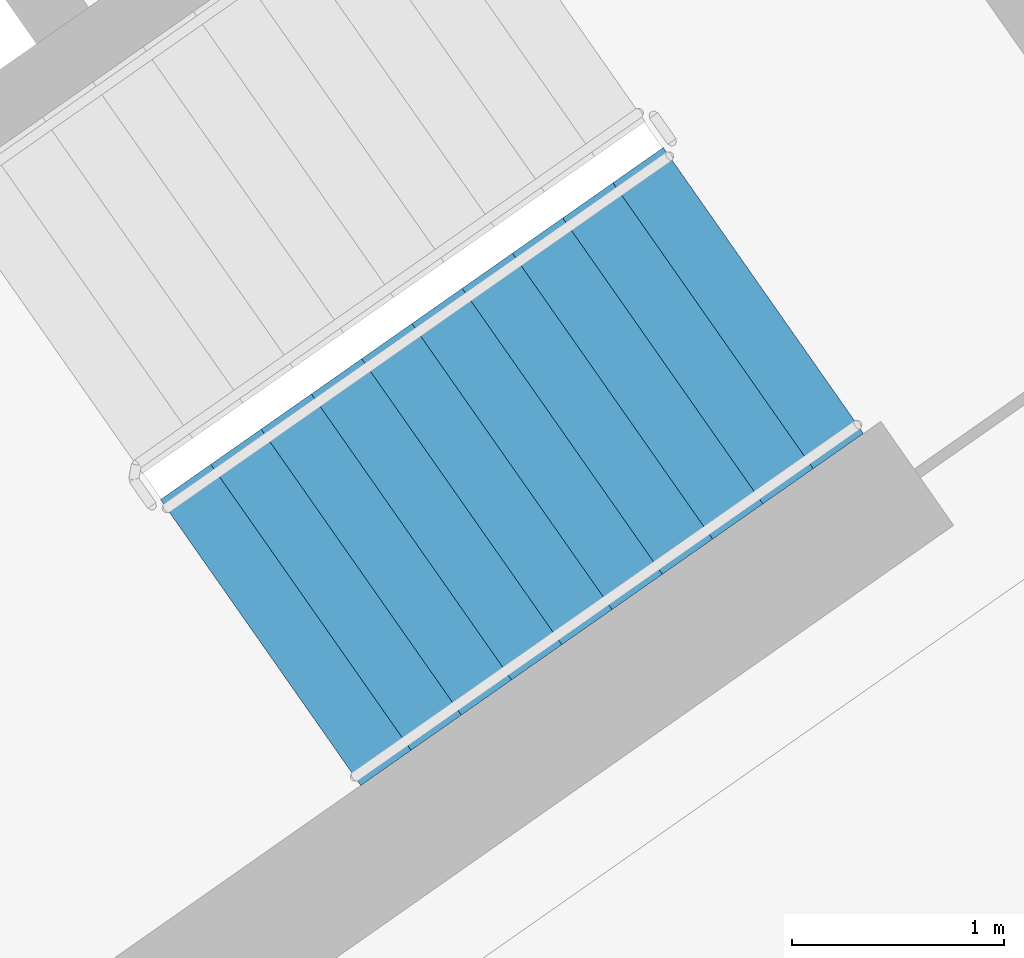
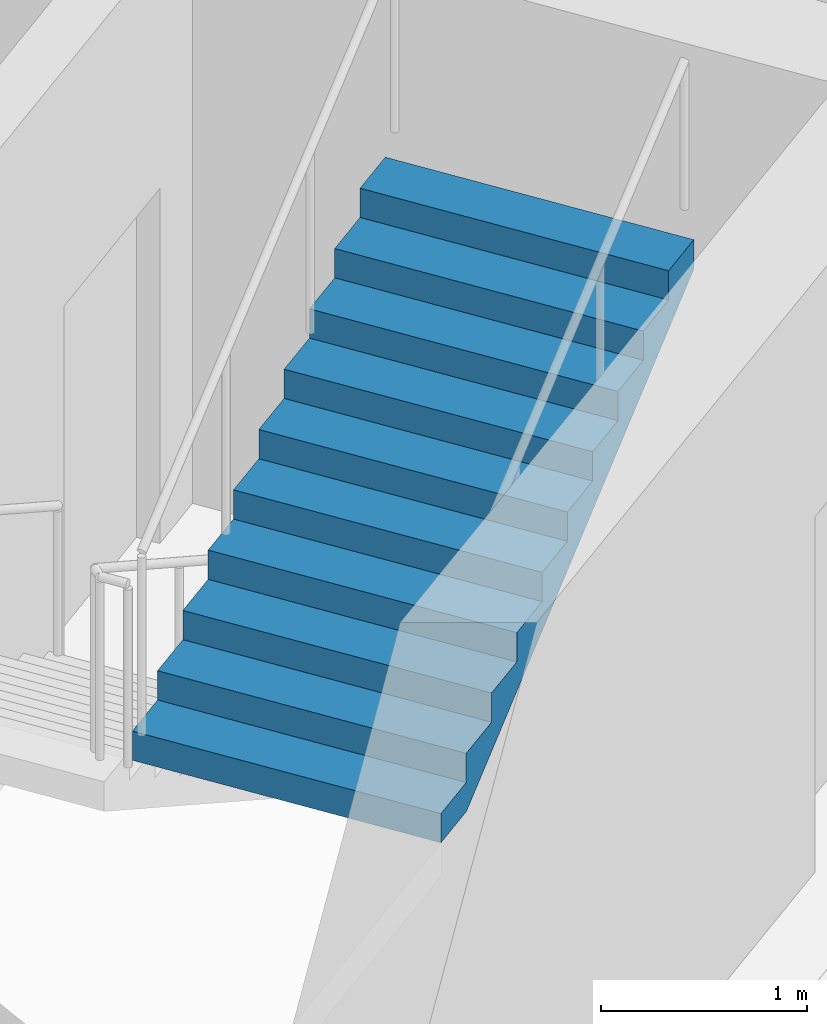
# One storey, part 13 of 27: 1 stair flight, 1 element without a shape of its own.
"""IFC4 building model written with IfcOpenShell, lengths in metres."""

import ifcopenshell
import ifcopenshell.guid

model = None  # the IFC model being written
_history = None  # IfcOwnerHistory: only IFC2X3 demands one
_inside = {}  # id of a spatial element -> (the spatial element, [elements in it])
_under = {}  # id of a project, library or spatial element -> (it, [spatial elements below it])
_declared = {}  # id of a project -> (the project, [libraries it declares])
_typed = {}  # id of a type object -> (the type object, [elements of that type])
_made_of = {}  # id of a material, layer set ... -> (it, [elements and type objects made of it])


def new_model(schema):
    """Start an empty IFC model of exactly this schema.

    Asked for "IFC4X3", IfcOpenShell would pick the latest addendum, in which some entities
    have other attributes; the version numbers below select the first issue.
    IFC2X3 requires an IfcOwnerHistory on every rooted entity: one is made here for all.
    """
    global model, _history
    if schema == "IFC4X3":
        model = ifcopenshell.file(schema_version=(4, 3, 0, 0))
    else:
        model = ifcopenshell.file(schema=schema)
    _inside.clear()
    _under.clear()
    _declared.clear()
    _typed.clear()
    _made_of.clear()
    _history = None
    if model.schema == "IFC2X3":
        org = make("IfcOrganization", Name="unknown")
        user = make(
            "IfcPersonAndOrganization",
            ThePerson=make("IfcPerson", FamilyName="unknown"),
            TheOrganization=org,
        )
        app = make(
            "IfcApplication",
            ApplicationDeveloper=org,
            Version="unknown",
            ApplicationFullName="unknown",
            ApplicationIdentifier="unknown",
        )
        _history = make(
            "IfcOwnerHistory",
            OwningUser=user,
            OwningApplication=app,
            ChangeAction="ADDED",
            CreationDate=0,
        )
    return model


def make(cls, **values):
    """One entity of the class cls with the attributes given. An attribute that is None is left unset."""
    return model.create_entity(
        cls, **{name: value for name, value in values.items() if value is not None}
    )


def rooted(cls, **values):
    """An entity with a GlobalId (a new one), such as an element, a storey or a relation."""
    return make(cls, GlobalId=ifcopenshell.guid.new(), OwnerHistory=_history, **values)


def si_unit(unit_type, name, prefix=None):
    """IfcSIUnit, for example si_unit("LENGTHUNIT", "METRE", prefix="MILLI")."""
    return make("IfcSIUnit", UnitType=unit_type, Prefix=prefix, Name=name)


def assignment(units):
    """IfcUnitAssignment: the units of a project."""
    return None if units is None else make("IfcUnitAssignment", Units=units)


def point(xyz):
    """IfcCartesianPoint."""
    return None if xyz is None else make("IfcCartesianPoint", Coordinates=xyz)


def direction(xyz):
    """IfcDirection."""
    return None if xyz is None else make("IfcDirection", DirectionRatios=xyz)


def frame(location, z_axis=None, x_axis=None):
    """IfcAxis2Placement3D, a coordinate frame: its origin and axes. An axis left out is left unset."""
    return make(
        "IfcAxis2Placement3D",
        Location=point(location),
        Axis=direction(z_axis),
        RefDirection=direction(x_axis),
    )


def origin():
    """The frame at (0, 0, 0) with its axes left unset."""
    return frame((0.0, 0.0, 0.0))


def place(relative_to, where):
    """IfcLocalPlacement: puts the frame where relative to a parent placement (None: the world)."""
    return make(
        "IfcLocalPlacement", PlacementRelTo=relative_to, RelativePlacement=where
    )


def context(
    kind, dimensions, precision=None, world=None, true_north=None, identifier=None
):
    """IfcGeometricRepresentationContext, for example the 3D "Model" context."""
    return make(
        "IfcGeometricRepresentationContext",
        ContextIdentifier=identifier,
        ContextType=kind,
        CoordinateSpaceDimension=dimensions,
        Precision=precision,
        WorldCoordinateSystem=world,
        TrueNorth=true_north,
    )


def subcontext(parent, identifier, kind, view, scale=None):
    """IfcGeometricRepresentationSubContext, for example "Body" below "Model"."""
    return make(
        "IfcGeometricRepresentationSubContext",
        ContextIdentifier=identifier,
        ContextType=kind,
        ParentContext=parent,
        TargetScale=scale,
        TargetView=view,
    )


def project(units=None, contexts=None):
    """IfcProject with its units and contexts."""
    return rooted(
        "IfcProject",
        Name="project",
        RepresentationContexts=contexts,
        UnitsInContext=assignment(units),
    )


def spatial(cls, under=None, at=None, **own):
    """A site, building, storey or space (cls), placed at a placement, below another one or the project."""
    s = rooted(cls, ObjectPlacement=at, **own)
    if under is not None:
        _under.setdefault(under.id(), (under, []))[1].append(s)
    return s


def faces_of(points, faces, orient=None, outer=None):
    """IfcFace entities. A face is a list of loops; a loop is a list of indices into points, from 0.

    orient and outer hold one flag for each loop. By default every Orientation is true, the
    first loop of a face is its IfcFaceOuterBound and the others are IfcFaceBound.
    """
    made = []
    for i, loops in enumerate(faces):
        bounds = []
        for j, loop in enumerate(loops):
            is_outer = j == 0 if outer is None else outer[i][j]
            bounds.append(
                make(
                    "IfcFaceOuterBound" if is_outer else "IfcFaceBound",
                    Bound=make("IfcPolyLoop", Polygon=[points[k] for k in loop]),
                    Orientation=True if orient is None else orient[i][j],
                )
            )
        made.append(make("IfcFace", Bounds=bounds))
    return made


def faceted_brep(points, faces, orient=None, outer=None, voids=None):
    """IfcFacetedBrep: a solid bounded by flat faces; with voids (closed shells), ...WithVoids."""
    shared = [point(p) for p in points]
    hull = make("IfcClosedShell", CfsFaces=faces_of(shared, faces, orient, outer))
    if voids is None:
        return make("IfcFacetedBrep", Outer=hull)
    return make(
        "IfcFacetedBrepWithVoids",
        Outer=hull,
        Voids=[
            make(cls, CfsFaces=faces_of(shared, fs, o, b)) for cls, fs, o, b in voids
        ],
    )


def shape(context_of_items, identifier, shape_type, items):
    """IfcShapeRepresentation: the items that make up one representation, for example the "Body"."""
    return make(
        "IfcShapeRepresentation",
        ContextOfItems=context_of_items,
        RepresentationIdentifier=identifier,
        RepresentationType=shape_type,
        Items=items,
    )


def material(Name=None, Category=None):
    """IfcMaterial."""
    return make("IfcMaterial", Name=Name, Category=Category)


def made_of(thing, what):
    """Note that an element or type object is made of a material, layer set ...; save() writes the relation."""
    if what is not None:
        _made_of.setdefault(what.id(), (what, []))[1].append(thing)
    return thing


def type_object(cls, material=None, **own):
    """A type object (cls), such as IfcWallType, which elements share."""
    return made_of(rooted(cls, **own), material)


def element(
    cls,
    number,
    at=None,
    inside=None,
    cuts=None,
    type_object=None,
    material=None,
    context=None,
    identifier="Body",
    shape_type=None,
    held_by="IfcProductDefinitionShape",
    body=None,
    shapes=None,
    **own,
):
    """One element of the class cls, such as IfcWall. Its Tag is "e" and its number.

    at: its placement. inside: the storey or other place that contains it. cuts: it is an
    opening in that element (IfcRelVoidsElement). A single representation is given by context,
    identifier, shape_type and body (its items); several are given by shapes. held_by: the class
    of the entity that holds the representations. save() writes the other relations.
    """
    e = rooted(cls, Tag="e%d" % number, ObjectPlacement=at, **own)
    if body is not None:
        shapes = [shape(context, identifier, shape_type, body)]
    if shapes is not None:
        e.Representation = make(held_by, Representations=shapes)
    if inside is not None:
        _inside.setdefault(inside.id(), (inside, []))[1].append(e)
    if cuts is not None:
        rooted(
            "IfcRelVoidsElement", RelatingBuildingElement=cuts, RelatedOpeningElement=e
        )
    if type_object is not None:
        _typed.setdefault(type_object.id(), (type_object, []))[1].append(e)
    return made_of(e, material)


def aggregate(whole, parts):
    """IfcRelAggregates: a whole, such as a stair, and the parts it consists of."""
    return rooted("IfcRelAggregates", RelatingObject=whole, RelatedObjects=parts)


def save(model, path):
    """Write the relations noted so far, then the file.

    IfcRelAggregates (storeys below a building ...), IfcRelContainedInSpatialStructure (elements
    in a storey), IfcRelDefinesByType, IfcRelAssociatesMaterial and IfcRelDeclares: one each for
    every whole, place, type object, material and project.
    """
    for whole, parts in _under.values():
        aggregate(whole, parts)
    for where, things in _inside.values():
        rooted(
            "IfcRelContainedInSpatialStructure",
            RelatedElements=things,
            RelatingStructure=where,
        )
    for kind, things in _typed.values():
        rooted("IfcRelDefinesByType", RelatedObjects=things, RelatingType=kind)
    for what, things in _made_of.values():
        rooted("IfcRelAssociatesMaterial", RelatedObjects=things, RelatingMaterial=what)
    for by, libraries in _declared.values():
        rooted("IfcRelDeclares", RelatingContext=by, RelatedDefinitions=libraries)
    model.write(path)


model = new_model("IFC4")

# Units and contexts
model_context = context("Model", 3, precision=1e-05, world=origin(), true_north=direction((0.0, 1.0)))
body_context = subcontext(model_context, "Body", "Model", "MODEL_VIEW")
ifc_project = project(units=[si_unit("LENGTHUNIT", "METRE"), si_unit("AREAUNIT", "SQUARE_METRE"), si_unit("VOLUMEUNIT", "CUBIC_METRE"), si_unit("PLANEANGLEUNIT", "RADIAN"), si_unit("MASSUNIT", "GRAM", prefix="KILO")], contexts=[model_context])

# Site, building, storey
site_placement = place(None, origin())
site = spatial("IfcSite", under=ifc_project, at=site_placement, CompositionType="ELEMENT")
building_placement = place(site_placement, origin())
building = spatial("IfcBuilding", under=site, at=building_placement, Name="Qamariyya Broadcast Tower", CompositionType="ELEMENT")
storey_placement = place(building_placement, frame((0.0, 0.0, 153.10009765625)))
storey = spatial("IfcBuildingStorey", under=building, at=storey_placement, Name="L35", CompositionType="ELEMENT", Elevation=153.10009765625)

# Stair, stair flight
ifc_material = material(Name="Concrete C50/60", Category="concrete")
stair_type = type_object("IfcStairType", Name="Exit stair 22 risers of 173 mm", PredefinedType="HALF_TURN_STAIR", material=ifc_material)
stair_placement = place(storey_placement, origin())
stair = element("IfcStair", 1, at=stair_placement, inside=storey, type_object=stair_type, Name="L35 Stair E1", PredefinedType="HALF_TURN_STAIR")
stair_flight_type = type_object("IfcStairFlightType", Name="Exit stair flight 11 risers of 173 mm", PredefinedType="STRAIGHT", material=ifc_material)
stair_flight_placement = place(storey_placement, frame((44.693359375, -58.64599609375, 1.89990234375), z_axis=(0.0, 0.0, 1.0), x_axis=(0.819152044289, 0.573576436351, 0.0)))
stair_flight = element("IfcStairFlight", 2, at=stair_flight_placement, type_object=stair_flight_type, Name="ST-E1 flight 2", NumberOfRisers=11, NumberOfTreads=10, PredefinedType="STRAIGHT", RiserHeight=0.172727273, TreadLength=0.29, context=body_context, shape_type="Brep", body=[
    faceted_brep([(0.0, 0.824951171875, 0.0), (0.0, 0.824951171875, 0.172607421875), (0.2900390625, 0.824951171875, 0.172607421875), (0.2900390625, 0.824951171875, 0.345458984375), (0.580078125, 0.824951171875, 0.345458984375), (0.580078125, 0.824951171875, 0.51806640625), (0.8701171875, 0.824951171875, 0.51806640625), (0.8701171875, 0.824951171875, 0.69091796875), (1.159912109375, 0.824951171875, 0.69091796875), (1.159912109375, 0.824951171875, 0.863525390625), (1.449951171875, 0.824951171875, 0.863525390625), (1.449951171875, 0.824951171875, 1.036376953125), (1.739990234375, 0.824951171875, 1.036376953125), (1.739990234375, 0.824951171875, 1.208984375), (2.030029296875, 0.824951171875, 1.208984375), (2.030029296875, 0.824951171875, 1.3818359375), (2.320068359375, 0.824951171875, 1.3818359375), (2.320068359375, 0.824951171875, 1.554443359375), (2.610107421875, 0.824951171875, 1.554443359375), (2.610107421875, 0.824951171875, 1.727294921875), (2.89990234375, 0.824951171875, 1.727294921875), (2.89990234375, 0.824951171875, 1.552734375), (0.29296875, 0.824951171875, 0.0), (0.29296875, -0.824951171875, 0.0), (2.89990234375, -0.824951171875, 1.552734375), (2.89990234375, -0.824951171875, 1.727294921875), (2.610107421875, -0.824951171875, 1.727294921875), (2.610107421875, -0.824951171875, 1.554443359375), (2.320068359375, -0.824951171875, 1.554443359375), (2.320068359375, -0.824951171875, 1.3818359375), (2.030029296875, -0.824951171875, 1.3818359375), (2.030029296875, -0.824951171875, 1.208984375), (1.739990234375, -0.824951171875, 1.208984375), (1.739990234375, -0.824951171875, 1.036376953125), (1.449951171875, -0.824951171875, 1.036376953125), (1.449951171875, -0.824951171875, 0.863525390625), (1.159912109375, -0.824951171875, 0.863525390625), (1.159912109375, -0.824951171875, 0.69091796875), (0.8701171875, -0.824951171875, 0.69091796875), (0.8701171875, -0.824951171875, 0.51806640625), (0.580078125, -0.824951171875, 0.51806640625), (0.580078125, -0.824951171875, 0.345458984375), (0.2900390625, -0.824951171875, 0.345458984375), (0.2900390625, -0.824951171875, 0.172607421875), (0.0, -0.824951171875, 0.172607421875), (0.0, -0.824951171875, 0.0), (0.0, 0.10009765625, 0.0), (0.0, 0.086669921875, 0.0), (0.0, 0.0732421875, 0.0), (0.0, 0.06005859375, 0.0), (0.0, 0.046630859375, 0.0), (0.0, 0.033447265625, 0.0), (0.0, 0.02001953125, 0.0), (0.0, 0.006591796875, 0.0), (0.0, -0.006591796875, 0.0), (0.0, -0.02001953125, 0.0), (0.0, -0.033447265625, 0.0), (0.0, -0.046630859375, 0.0), (0.0, -0.06005859375, 0.0), (0.0, -0.0732421875, 0.0), (0.0, -0.086669921875, 0.0), (0.0, -0.10009765625, 0.0), (0.0, -0.10009765625, 0.172607421875), (0.0, -0.086669921875, 0.172607421875), (0.0, -0.0732421875, 0.172607421875), (0.0, -0.06005859375, 0.172607421875), (0.0, -0.046630859375, 0.172607421875), (0.0, -0.033447265625, 0.172607421875), (0.0, -0.02001953125, 0.172607421875), (0.0, -0.006591796875, 0.172607421875), (0.0, 0.006591796875, 0.172607421875), (0.0, 0.02001953125, 0.172607421875), (0.0, 0.033447265625, 0.172607421875), (0.0, 0.046630859375, 0.172607421875), (0.0, 0.06005859375, 0.172607421875), (0.0, 0.0732421875, 0.172607421875), (0.0, 0.086669921875, 0.172607421875), (0.0, 0.10009765625, 0.172607421875), (0.2900390625, -0.10009765625, 0.172607421875), (0.2900390625, -0.086669921875, 0.172607421875), (0.2900390625, -0.0732421875, 0.172607421875), (0.2900390625, -0.06005859375, 0.172607421875), (0.2900390625, -0.046630859375, 0.172607421875), (0.2900390625, -0.033447265625, 0.172607421875), (0.2900390625, -0.02001953125, 0.172607421875), (0.2900390625, -0.006591796875, 0.172607421875), (0.2900390625, 0.006591796875, 0.172607421875), (0.2900390625, 0.02001953125, 0.172607421875), (0.2900390625, 0.033447265625, 0.172607421875), (0.2900390625, 0.046630859375, 0.172607421875), (0.2900390625, 0.06005859375, 0.172607421875), (0.2900390625, 0.0732421875, 0.172607421875), (0.2900390625, 0.086669921875, 0.172607421875), (0.2900390625, 0.10009765625, 0.172607421875), (0.2900390625, -0.10009765625, 0.345458984375), (0.2900390625, -0.086669921875, 0.345458984375), (0.2900390625, -0.0732421875, 0.345458984375), (0.2900390625, -0.06005859375, 0.345458984375), (0.2900390625, -0.046630859375, 0.345458984375), (0.2900390625, -0.033447265625, 0.345458984375), (0.2900390625, -0.02001953125, 0.345458984375), (0.2900390625, -0.006591796875, 0.345458984375), (0.2900390625, 0.006591796875, 0.345458984375), (0.2900390625, 0.02001953125, 0.345458984375), (0.2900390625, 0.033447265625, 0.345458984375), (0.2900390625, 0.046630859375, 0.345458984375), (0.2900390625, 0.06005859375, 0.345458984375), (0.2900390625, 0.0732421875, 0.345458984375), (0.2900390625, 0.086669921875, 0.345458984375), (0.2900390625, 0.10009765625, 0.345458984375), (0.580078125, -0.10009765625, 0.345458984375), (0.580078125, -0.086669921875, 0.345458984375), (0.580078125, -0.0732421875, 0.345458984375), (0.580078125, -0.06005859375, 0.345458984375), (0.580078125, -0.046630859375, 0.345458984375), (0.580078125, -0.033447265625, 0.345458984375), (0.580078125, -0.02001953125, 0.345458984375), (0.580078125, -0.006591796875, 0.345458984375), (0.580078125, 0.006591796875, 0.345458984375), (0.580078125, 0.02001953125, 0.345458984375), (0.580078125, 0.033447265625, 0.345458984375), (0.580078125, 0.046630859375, 0.345458984375), (0.580078125, 0.06005859375, 0.345458984375), (0.580078125, 0.0732421875, 0.345458984375), (0.580078125, 0.086669921875, 0.345458984375), (0.580078125, 0.10009765625, 0.345458984375), (0.580078125, -0.10009765625, 0.51806640625), (0.580078125, -0.086669921875, 0.51806640625), (0.580078125, -0.0732421875, 0.51806640625), (0.580078125, -0.06005859375, 0.51806640625), (0.580078125, -0.046630859375, 0.51806640625), (0.580078125, -0.033447265625, 0.51806640625), (0.580078125, -0.02001953125, 0.51806640625), (0.580078125, -0.006591796875, 0.51806640625), (0.580078125, 0.006591796875, 0.51806640625), (0.580078125, 0.02001953125, 0.51806640625), (0.580078125, 0.033447265625, 0.51806640625), (0.580078125, 0.046630859375, 0.51806640625), (0.580078125, 0.06005859375, 0.51806640625), (0.580078125, 0.0732421875, 0.51806640625), (0.580078125, 0.086669921875, 0.51806640625), (0.580078125, 0.10009765625, 0.51806640625), (0.8701171875, -0.10009765625, 0.51806640625), (0.8701171875, -0.086669921875, 0.51806640625), (0.8701171875, -0.0732421875, 0.51806640625), (0.8701171875, -0.06005859375, 0.51806640625), (0.8701171875, -0.046630859375, 0.51806640625), (0.8701171875, -0.033447265625, 0.51806640625), (0.8701171875, -0.02001953125, 0.51806640625), (0.8701171875, -0.006591796875, 0.51806640625), (0.8701171875, 0.006591796875, 0.51806640625), (0.8701171875, 0.02001953125, 0.51806640625), (0.8701171875, 0.033447265625, 0.51806640625), (0.8701171875, 0.046630859375, 0.51806640625), (0.8701171875, 0.06005859375, 0.51806640625), (0.8701171875, 0.0732421875, 0.51806640625), (0.8701171875, 0.086669921875, 0.51806640625), (0.8701171875, 0.10009765625, 0.51806640625), (0.8701171875, -0.10009765625, 0.69091796875), (0.8701171875, -0.086669921875, 0.69091796875), (0.8701171875, -0.0732421875, 0.69091796875), (0.8701171875, -0.06005859375, 0.69091796875), (0.8701171875, -0.046630859375, 0.69091796875), (0.8701171875, -0.033447265625, 0.69091796875), (0.8701171875, -0.02001953125, 0.69091796875), (0.8701171875, -0.006591796875, 0.69091796875), (0.8701171875, 0.006591796875, 0.69091796875), (0.8701171875, 0.02001953125, 0.69091796875), (0.8701171875, 0.033447265625, 0.69091796875), (0.8701171875, 0.046630859375, 0.69091796875), (0.8701171875, 0.06005859375, 0.69091796875), (0.8701171875, 0.0732421875, 0.69091796875), (0.8701171875, 0.086669921875, 0.69091796875), (0.8701171875, 0.10009765625, 0.69091796875), (1.159912109375, -0.10009765625, 0.69091796875), (1.159912109375, -0.086669921875, 0.69091796875), (1.159912109375, -0.0732421875, 0.69091796875), (1.159912109375, -0.06005859375, 0.69091796875), (1.159912109375, -0.046630859375, 0.69091796875), (1.159912109375, -0.033447265625, 0.69091796875), (1.159912109375, -0.02001953125, 0.69091796875), (1.159912109375, -0.006591796875, 0.69091796875), (1.159912109375, 0.006591796875, 0.69091796875), (1.159912109375, 0.02001953125, 0.69091796875), (1.159912109375, 0.033447265625, 0.69091796875), (1.159912109375, 0.046630859375, 0.69091796875), (1.159912109375, 0.06005859375, 0.69091796875), (1.159912109375, 0.0732421875, 0.69091796875), (1.159912109375, 0.086669921875, 0.69091796875), (1.159912109375, 0.10009765625, 0.69091796875), (1.159912109375, -0.10009765625, 0.863525390625), (1.159912109375, -0.086669921875, 0.863525390625), (1.159912109375, -0.0732421875, 0.863525390625), (1.159912109375, -0.06005859375, 0.863525390625), (1.159912109375, -0.046630859375, 0.863525390625), (1.159912109375, -0.033447265625, 0.863525390625), (1.159912109375, -0.02001953125, 0.863525390625), (1.159912109375, -0.006591796875, 0.863525390625), (1.159912109375, 0.006591796875, 0.863525390625), (1.159912109375, 0.02001953125, 0.863525390625), (1.159912109375, 0.033447265625, 0.863525390625), (1.159912109375, 0.046630859375, 0.863525390625), (1.159912109375, 0.06005859375, 0.863525390625), (1.159912109375, 0.0732421875, 0.863525390625), (1.159912109375, 0.086669921875, 0.863525390625), (1.159912109375, 0.10009765625, 0.863525390625), (1.449951171875, -0.10009765625, 0.863525390625), (1.449951171875, -0.086669921875, 0.863525390625), (1.449951171875, -0.0732421875, 0.863525390625), (1.449951171875, -0.06005859375, 0.863525390625), (1.449951171875, -0.046630859375, 0.863525390625), (1.449951171875, -0.033447265625, 0.863525390625), (1.449951171875, -0.02001953125, 0.863525390625), (1.449951171875, -0.006591796875, 0.863525390625), (1.449951171875, 0.006591796875, 0.863525390625), (1.449951171875, 0.02001953125, 0.863525390625), (1.449951171875, 0.033447265625, 0.863525390625), (1.449951171875, 0.046630859375, 0.863525390625), (1.449951171875, 0.06005859375, 0.863525390625), (1.449951171875, 0.0732421875, 0.863525390625), (1.449951171875, 0.086669921875, 0.863525390625), (1.449951171875, 0.10009765625, 0.863525390625), (1.449951171875, -0.10009765625, 1.036376953125), (1.449951171875, -0.086669921875, 1.036376953125), (1.449951171875, -0.0732421875, 1.036376953125), (1.449951171875, -0.06005859375, 1.036376953125), (1.449951171875, -0.046630859375, 1.036376953125), (1.449951171875, -0.033447265625, 1.036376953125), (1.449951171875, -0.02001953125, 1.036376953125), (1.449951171875, -0.006591796875, 1.036376953125), (1.449951171875, 0.006591796875, 1.036376953125), (1.449951171875, 0.02001953125, 1.036376953125), (1.449951171875, 0.033447265625, 1.036376953125), (1.449951171875, 0.046630859375, 1.036376953125), (1.449951171875, 0.06005859375, 1.036376953125), (1.449951171875, 0.0732421875, 1.036376953125), (1.449951171875, 0.086669921875, 1.036376953125), (1.449951171875, 0.10009765625, 1.036376953125), (1.739990234375, -0.10009765625, 1.036376953125), (1.739990234375, -0.086669921875, 1.036376953125), (1.739990234375, -0.0732421875, 1.036376953125), (1.739990234375, -0.06005859375, 1.036376953125), (1.739990234375, -0.046630859375, 1.036376953125), (1.739990234375, -0.033447265625, 1.036376953125), (1.739990234375, -0.02001953125, 1.036376953125), (1.739990234375, -0.006591796875, 1.036376953125), (1.739990234375, 0.006591796875, 1.036376953125), (1.739990234375, 0.02001953125, 1.036376953125), (1.739990234375, 0.033447265625, 1.036376953125), (1.739990234375, 0.046630859375, 1.036376953125), (1.739990234375, 0.06005859375, 1.036376953125), (1.739990234375, 0.0732421875, 1.036376953125), (1.739990234375, 0.086669921875, 1.036376953125), (1.739990234375, 0.10009765625, 1.036376953125), (1.739990234375, -0.10009765625, 1.208984375), (1.739990234375, -0.086669921875, 1.208984375), (1.739990234375, -0.0732421875, 1.208984375), (1.739990234375, -0.06005859375, 1.208984375), (1.739990234375, -0.046630859375, 1.208984375), (1.739990234375, -0.033447265625, 1.208984375), (1.739990234375, -0.02001953125, 1.208984375), (1.739990234375, -0.006591796875, 1.208984375), (1.739990234375, 0.006591796875, 1.208984375), (1.739990234375, 0.02001953125, 1.208984375), (1.739990234375, 0.033447265625, 1.208984375), (1.739990234375, 0.046630859375, 1.208984375), (1.739990234375, 0.06005859375, 1.208984375), (1.739990234375, 0.0732421875, 1.208984375), (1.739990234375, 0.086669921875, 1.208984375), (1.739990234375, 0.10009765625, 1.208984375), (2.030029296875, -0.10009765625, 1.208984375), (2.030029296875, -0.086669921875, 1.208984375), (2.030029296875, -0.0732421875, 1.208984375), (2.030029296875, -0.06005859375, 1.208984375), (2.030029296875, -0.046630859375, 1.208984375), (2.030029296875, -0.033447265625, 1.208984375), (2.030029296875, -0.02001953125, 1.208984375), (2.030029296875, -0.006591796875, 1.208984375), (2.030029296875, 0.006591796875, 1.208984375), (2.030029296875, 0.02001953125, 1.208984375), (2.030029296875, 0.033447265625, 1.208984375), (2.030029296875, 0.046630859375, 1.208984375), (2.030029296875, 0.06005859375, 1.208984375), (2.030029296875, 0.0732421875, 1.208984375), (2.030029296875, 0.086669921875, 1.208984375), (2.030029296875, 0.10009765625, 1.208984375), (2.030029296875, -0.10009765625, 1.3818359375), (2.030029296875, -0.086669921875, 1.3818359375), (2.030029296875, -0.0732421875, 1.3818359375), (2.030029296875, -0.06005859375, 1.3818359375), (2.030029296875, -0.046630859375, 1.3818359375), (2.030029296875, -0.033447265625, 1.3818359375), (2.030029296875, -0.02001953125, 1.3818359375), (2.030029296875, -0.006591796875, 1.3818359375), (2.030029296875, 0.006591796875, 1.3818359375), (2.030029296875, 0.02001953125, 1.3818359375), (2.030029296875, 0.033447265625, 1.3818359375), (2.030029296875, 0.046630859375, 1.3818359375), (2.030029296875, 0.06005859375, 1.3818359375), (2.030029296875, 0.0732421875, 1.3818359375), (2.030029296875, 0.086669921875, 1.3818359375), (2.030029296875, 0.10009765625, 1.3818359375), (2.320068359375, -0.10009765625, 1.3818359375), (2.320068359375, -0.086669921875, 1.3818359375), (2.320068359375, -0.0732421875, 1.3818359375), (2.320068359375, -0.06005859375, 1.3818359375), (2.320068359375, -0.046630859375, 1.3818359375), (2.320068359375, -0.033447265625, 1.3818359375), (2.320068359375, -0.02001953125, 1.3818359375), (2.320068359375, -0.006591796875, 1.3818359375), (2.320068359375, 0.006591796875, 1.3818359375), (2.320068359375, 0.02001953125, 1.3818359375), (2.320068359375, 0.033447265625, 1.3818359375), (2.320068359375, 0.046630859375, 1.3818359375), (2.320068359375, 0.06005859375, 1.3818359375), (2.320068359375, 0.0732421875, 1.3818359375), (2.320068359375, 0.086669921875, 1.3818359375), (2.320068359375, 0.10009765625, 1.3818359375), (2.320068359375, -0.10009765625, 1.554443359375), (2.320068359375, -0.086669921875, 1.554443359375), (2.320068359375, -0.0732421875, 1.554443359375), (2.320068359375, -0.06005859375, 1.554443359375), (2.320068359375, -0.046630859375, 1.554443359375), (2.320068359375, -0.033447265625, 1.554443359375), (2.320068359375, -0.02001953125, 1.554443359375), (2.320068359375, -0.006591796875, 1.554443359375), (2.320068359375, 0.006591796875, 1.554443359375), (2.320068359375, 0.02001953125, 1.554443359375), (2.320068359375, 0.033447265625, 1.554443359375), (2.320068359375, 0.046630859375, 1.554443359375), (2.320068359375, 0.06005859375, 1.554443359375), (2.320068359375, 0.0732421875, 1.554443359375), (2.320068359375, 0.086669921875, 1.554443359375), (2.320068359375, 0.10009765625, 1.554443359375), (2.610107421875, -0.10009765625, 1.554443359375), (2.610107421875, -0.086669921875, 1.554443359375), (2.610107421875, -0.0732421875, 1.554443359375), (2.610107421875, -0.06005859375, 1.554443359375), (2.610107421875, -0.046630859375, 1.554443359375), (2.610107421875, -0.033447265625, 1.554443359375), (2.610107421875, -0.02001953125, 1.554443359375), (2.610107421875, -0.006591796875, 1.554443359375), (2.610107421875, 0.006591796875, 1.554443359375), (2.610107421875, 0.02001953125, 1.554443359375), (2.610107421875, 0.033447265625, 1.554443359375), (2.610107421875, 0.046630859375, 1.554443359375), (2.610107421875, 0.06005859375, 1.554443359375), (2.610107421875, 0.0732421875, 1.554443359375), (2.610107421875, 0.086669921875, 1.554443359375), (2.610107421875, 0.10009765625, 1.554443359375), (2.610107421875, -0.10009765625, 1.727294921875), (2.610107421875, -0.086669921875, 1.727294921875), (2.610107421875, -0.0732421875, 1.727294921875), (2.610107421875, -0.06005859375, 1.727294921875), (2.610107421875, -0.046630859375, 1.727294921875), (2.610107421875, -0.033447265625, 1.727294921875), (2.610107421875, -0.02001953125, 1.727294921875), (2.610107421875, -0.006591796875, 1.727294921875), (2.610107421875, 0.006591796875, 1.727294921875), (2.610107421875, 0.02001953125, 1.727294921875), (2.610107421875, 0.033447265625, 1.727294921875), (2.610107421875, 0.046630859375, 1.727294921875), (2.610107421875, 0.06005859375, 1.727294921875), (2.610107421875, 0.0732421875, 1.727294921875), (2.610107421875, 0.086669921875, 1.727294921875), (2.610107421875, 0.10009765625, 1.727294921875), (2.89990234375, -0.10009765625, 1.727294921875), (2.89990234375, -0.086669921875, 1.727294921875), (2.89990234375, -0.0732421875, 1.727294921875), (2.89990234375, -0.06005859375, 1.727294921875), (2.89990234375, -0.046630859375, 1.727294921875), (2.89990234375, -0.033447265625, 1.727294921875), (2.89990234375, -0.02001953125, 1.727294921875), (2.89990234375, -0.006591796875, 1.727294921875), (2.89990234375, 0.006591796875, 1.727294921875), (2.89990234375, 0.02001953125, 1.727294921875), (2.89990234375, 0.033447265625, 1.727294921875), (2.89990234375, 0.046630859375, 1.727294921875), (2.89990234375, 0.06005859375, 1.727294921875), (2.89990234375, 0.0732421875, 1.727294921875), (2.89990234375, 0.086669921875, 1.727294921875), (2.89990234375, 0.10009765625, 1.727294921875), (2.89990234375, -0.10009765625, 1.552734375), (2.89990234375, -0.086669921875, 1.552734375), (2.89990234375, -0.0732421875, 1.552734375), (2.89990234375, -0.06005859375, 1.552734375), (2.89990234375, -0.046630859375, 1.552734375), (2.89990234375, -0.033447265625, 1.552734375), (2.89990234375, -0.02001953125, 1.552734375), (2.89990234375, -0.006591796875, 1.552734375), (2.89990234375, 0.006591796875, 1.552734375), (2.89990234375, 0.02001953125, 1.552734375), (2.89990234375, 0.033447265625, 1.552734375), (2.89990234375, 0.046630859375, 1.552734375), (2.89990234375, 0.06005859375, 1.552734375), (2.89990234375, 0.0732421875, 1.552734375), (2.89990234375, 0.086669921875, 1.552734375), (2.89990234375, 0.10009765625, 1.552734375), (0.29296875, -0.10009765625, 0.0), (0.29296875, -0.086669921875, 0.0), (0.29296875, -0.0732421875, 0.0), (0.29296875, -0.06005859375, 0.0), (0.29296875, -0.046630859375, 0.0), (0.29296875, -0.033447265625, 0.0), (0.29296875, -0.02001953125, 0.0), (0.29296875, -0.006591796875, 0.0), (0.29296875, 0.006591796875, 0.0), (0.29296875, 0.02001953125, 0.0), (0.29296875, 0.033447265625, 0.0), (0.29296875, 0.046630859375, 0.0), (0.29296875, 0.06005859375, 0.0), (0.29296875, 0.0732421875, 0.0), (0.29296875, 0.086669921875, 0.0), (0.29296875, 0.10009765625, 0.0)], [[[0, 1, 2, 3, 4, 5, 6, 7, 8, 9, 10, 11, 12, 13, 14, 15, 16, 17, 18, 19, 20, 21, 22]], [[23, 24, 25, 26, 27, 28, 29, 30, 31, 32, 33, 34, 35, 36, 37, 38, 39, 40, 41, 42, 43, 44, 45]], [[0, 46, 47, 48, 49, 50, 51, 52, 53, 54, 55, 56, 57, 58, 59, 60, 61, 45, 44, 62, 63, 64, 65, 66, 67, 68, 69, 70, 71, 72, 73, 74, 75, 76, 77, 1]], [[1, 77, 76, 75, 74, 73, 72, 71, 70, 69, 68, 67, 66, 65, 64, 63, 62, 44, 43, 78, 79, 80, 81, 82, 83, 84, 85, 86, 87, 88, 89, 90, 91, 92, 93, 2]], [[2, 93, 92, 91, 90, 89, 88, 87, 86, 85, 84, 83, 82, 81, 80, 79, 78, 43, 42, 94, 95, 96, 97, 98, 99, 100, 101, 102, 103, 104, 105, 106, 107, 108, 109, 3]], [[3, 109, 108, 107, 106, 105, 104, 103, 102, 101, 100, 99, 98, 97, 96, 95, 94, 42, 41, 110, 111, 112, 113, 114, 115, 116, 117, 118, 119, 120, 121, 122, 123, 124, 125, 4]], [[4, 125, 124, 123, 122, 121, 120, 119, 118, 117, 116, 115, 114, 113, 112, 111, 110, 41, 40, 126, 127, 128, 129, 130, 131, 132, 133, 134, 135, 136, 137, 138, 139, 140, 141, 5]], [[5, 141, 140, 139, 138, 137, 136, 135, 134, 133, 132, 131, 130, 129, 128, 127, 126, 40, 39, 142, 143, 144, 145, 146, 147, 148, 149, 150, 151, 152, 153, 154, 155, 156, 157, 6]], [[6, 157, 156, 155, 154, 153, 152, 151, 150, 149, 148, 147, 146, 145, 144, 143, 142, 39, 38, 158, 159, 160, 161, 162, 163, 164, 165, 166, 167, 168, 169, 170, 171, 172, 173, 7]], [[7, 173, 172, 171, 170, 169, 168, 167, 166, 165, 164, 163, 162, 161, 160, 159, 158, 38, 37, 174, 175, 176, 177, 178, 179, 180, 181, 182, 183, 184, 185, 186, 187, 188, 189, 8]], [[8, 189, 188, 187, 186, 185, 184, 183, 182, 181, 180, 179, 178, 177, 176, 175, 174, 37, 36, 190, 191, 192, 193, 194, 195, 196, 197, 198, 199, 200, 201, 202, 203, 204, 205, 9]], [[9, 205, 204, 203, 202, 201, 200, 199, 198, 197, 196, 195, 194, 193, 192, 191, 190, 36, 35, 206, 207, 208, 209, 210, 211, 212, 213, 214, 215, 216, 217, 218, 219, 220, 221, 10]], [[10, 221, 220, 219, 218, 217, 216, 215, 214, 213, 212, 211, 210, 209, 208, 207, 206, 35, 34, 222, 223, 224, 225, 226, 227, 228, 229, 230, 231, 232, 233, 234, 235, 236, 237, 11]], [[11, 237, 236, 235, 234, 233, 232, 231, 230, 229, 228, 227, 226, 225, 224, 223, 222, 34, 33, 238, 239, 240, 241, 242, 243, 244, 245, 246, 247, 248, 249, 250, 251, 252, 253, 12]], [[12, 253, 252, 251, 250, 249, 248, 247, 246, 245, 244, 243, 242, 241, 240, 239, 238, 33, 32, 254, 255, 256, 257, 258, 259, 260, 261, 262, 263, 264, 265, 266, 267, 268, 269, 13]], [[13, 269, 268, 267, 266, 265, 264, 263, 262, 261, 260, 259, 258, 257, 256, 255, 254, 32, 31, 270, 271, 272, 273, 274, 275, 276, 277, 278, 279, 280, 281, 282, 283, 284, 285, 14]], [[14, 285, 284, 283, 282, 281, 280, 279, 278, 277, 276, 275, 274, 273, 272, 271, 270, 31, 30, 286, 287, 288, 289, 290, 291, 292, 293, 294, 295, 296, 297, 298, 299, 300, 301, 15]], [[15, 301, 300, 299, 298, 297, 296, 295, 294, 293, 292, 291, 290, 289, 288, 287, 286, 30, 29, 302, 303, 304, 305, 306, 307, 308, 309, 310, 311, 312, 313, 314, 315, 316, 317, 16]], [[16, 317, 316, 315, 314, 313, 312, 311, 310, 309, 308, 307, 306, 305, 304, 303, 302, 29, 28, 318, 319, 320, 321, 322, 323, 324, 325, 326, 327, 328, 329, 330, 331, 332, 333, 17]], [[17, 333, 332, 331, 330, 329, 328, 327, 326, 325, 324, 323, 322, 321, 320, 319, 318, 28, 27, 334, 335, 336, 337, 338, 339, 340, 341, 342, 343, 344, 345, 346, 347, 348, 349, 18]], [[18, 349, 348, 347, 346, 345, 344, 343, 342, 341, 340, 339, 338, 337, 336, 335, 334, 27, 26, 350, 351, 352, 353, 354, 355, 356, 357, 358, 359, 360, 361, 362, 363, 364, 365, 19]], [[19, 365, 364, 363, 362, 361, 360, 359, 358, 357, 356, 355, 354, 353, 352, 351, 350, 26, 25, 366, 367, 368, 369, 370, 371, 372, 373, 374, 375, 376, 377, 378, 379, 380, 381, 20]], [[20, 381, 380, 379, 378, 377, 376, 375, 374, 373, 372, 371, 370, 369, 368, 367, 366, 25, 24, 382, 383, 384, 385, 386, 387, 388, 389, 390, 391, 392, 393, 394, 395, 396, 397, 21]], [[21, 397, 396, 395, 394, 393, 392, 391, 390, 389, 388, 387, 386, 385, 384, 383, 382, 24, 23, 398, 399, 400, 401, 402, 403, 404, 405, 406, 407, 408, 409, 410, 411, 412, 413, 22]], [[22, 413, 412, 411, 410, 409, 408, 407, 406, 405, 404, 403, 402, 401, 400, 399, 398, 23, 45, 61, 60, 59, 58, 57, 56, 55, 54, 53, 52, 51, 50, 49, 48, 47, 46, 0]]]),
])
aggregate(stair, [stair_flight])

save(model, "model.ifc")
